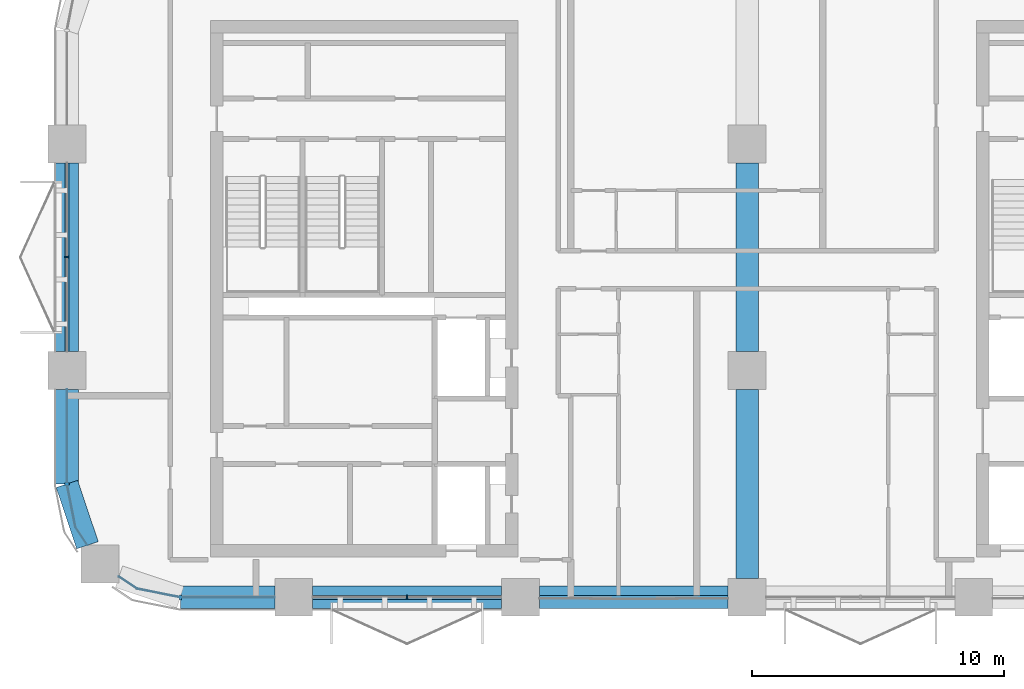
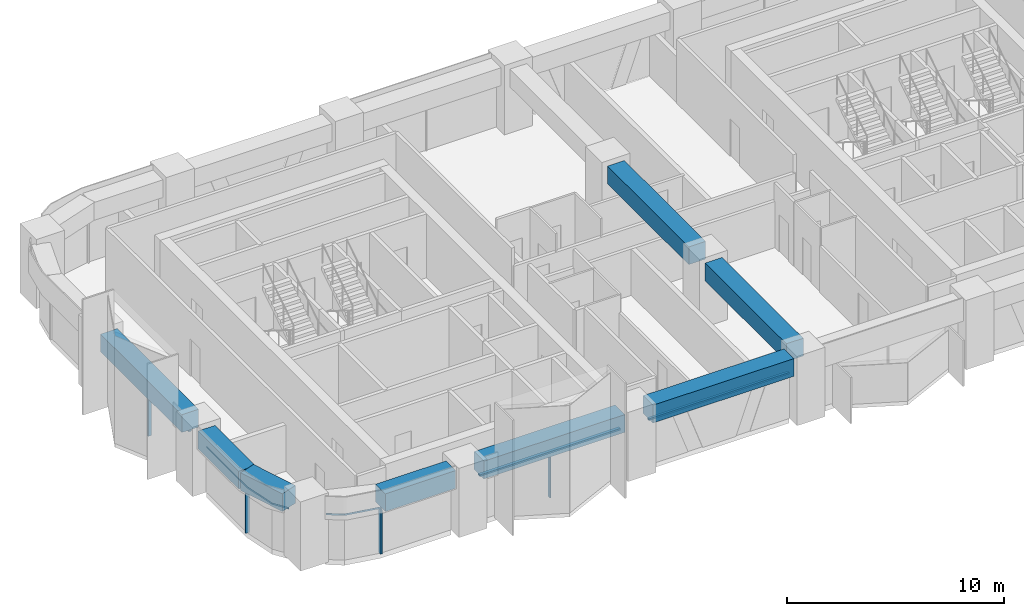
# One storey, part 2 of 14: 9 members, 8 beams, 5 elements without a shape of their own.
"""IFC4 building model written with IfcOpenShell, lengths in metres."""

from ifc_helpers import new_model, si_unit, direction, frame, origin, origin_2d, place, context, subcontext, project, spatial, polyline, rectangle, outline, extrude, material, material_profile, profile_set, type_object, element, aggregate, save


model = new_model("IFC4")

# Units and contexts
model_context = context("Model", 3, precision=1e-05, world=origin(), true_north=direction((0.0, 1.0)))
body_context = subcontext(model_context, "Body", "Model", "MODEL_VIEW")
ifc_project = project(units=[si_unit("LENGTHUNIT", "METRE"), si_unit("AREAUNIT", "SQUARE_METRE"), si_unit("VOLUMEUNIT", "CUBIC_METRE"), si_unit("PLANEANGLEUNIT", "RADIAN"), si_unit("MASSUNIT", "GRAM", prefix="KILO")], contexts=[model_context])

# Site, building, storey
site_placement = place(None, origin())
site = spatial("IfcSite", under=ifc_project, at=site_placement, CompositionType="ELEMENT")
building_placement = place(site_placement, origin())
building = spatial("IfcBuilding", under=site, at=building_placement, Name="Tessera Arch", CompositionType="ELEMENT")
storey_placement = place(building_placement, frame((0.0, 0.0, 142.699951171875)))
storey = spatial("IfcBuildingStorey", under=building, at=storey_placement, Name="L33", CompositionType="ELEMENT", Elevation=142.699951171875)

# Curtain wall, member
ifc_material_1 = material(Name="CW1 curtain wall")
curtain_wall_type_1 = type_object("IfcCurtainWallType", Name="CW1 curtain wall", PredefinedType="NOTDEFINED", material=ifc_material_1)
curtain_wall_1_placement = place(storey_placement, origin())
curtain_wall_1 = element("IfcCurtainWall", 1, at=curtain_wall_1_placement, inside=storey, type_object=curtain_wall_type_1, Name="CW1 curtain wall W0.27/1 L33", PredefinedType="NOTDEFINED")
ifc_material_2 = material(Name="Anodised aluminium pale metal", Category="aluminium")
ifc_material_profile_1 = material_profile(ifc_material_2, rectangle(XDim=0.159912109375, YDim=0.06005859375, at=origin_2d()), Name="AL 60x160")
ifc_profile_set_1 = profile_set([ifc_material_profile_1], Name="Anodised aluminium pale metal")
member_type_1 = type_object("IfcMemberType", Name="CW1 mullion", PredefinedType="MULLION", material=ifc_profile_set_1)
member_1_placement = place(storey_placement, frame((0.0, 40.5, 0.0), z_axis=(0.0, 0.0, 1.0), x_axis=(1.0, 0.0, 0.0)))
member_1 = element("IfcMember", 2, at=member_1_placement, type_object=member_type_1, Name="CW1 mullion W0.27/1 1", PredefinedType="MULLION", context=body_context, shape_type="SweptSolid", body=[
    extrude(rectangle(XDim=0.159912109375, YDim=0.06005859375, at=origin_2d()), origin(), (0.0, 0.0, 1.0), 2.5),
])

curtain_wall_2_placement = place(storey_placement, origin())
curtain_wall_2 = element("IfcCurtainWall", 3, at=curtain_wall_2_placement, inside=storey, type_object=curtain_wall_type_1, Name="CW1 curtain wall S27.0/1 L33", PredefinedType="NOTDEFINED")
member_2_placement = place(storey_placement, frame((13.5, 27.0, 0.0), z_axis=(0.0, 0.0, 1.0), x_axis=(0.0, 1.0, 0.0)))
member_2 = element("IfcMember", 4, at=member_2_placement, type_object=member_type_1, Name="CW1 mullion S27.0/1 1", PredefinedType="MULLION", context=body_context, shape_type="SweptSolid", body=[
    extrude(rectangle(XDim=0.159912109375, YDim=0.06005859375, at=origin_2d()), origin(), (0.0, 0.0, 1.0), 2.5),
])

# Member
ifc_material_3 = material(Name="Anodised aluminium pale metal", Category="aluminium")
ifc_material_profile_2 = material_profile(ifc_material_3, rectangle(XDim=0.159912109375, YDim=0.10009765625, at=origin_2d()), Name="AL 160x100")
ifc_profile_set_2 = profile_set([ifc_material_profile_2], Name="Anodised aluminium pale metal")
member_type_2 = type_object("IfcMemberType", Name="CW1 transom", PredefinedType="USERDEFINED", material=ifc_profile_set_2)
member_3_placement = place(storey_placement, frame((0.0, 44.25, 2.550048828125), z_axis=(0.0, -1.0, 0.0), x_axis=(1.0, 0.0, 0.0)))
member_3 = element("IfcMember", 5, at=member_3_placement, type_object=member_type_2, Name="CW1 transom W0.27/1 1.1", ObjectType="TRANSOM", PredefinedType="USERDEFINED", context=body_context, shape_type="SweptSolid", body=[
    extrude(rectangle(XDim=0.159912109375, YDim=0.10009765625, at=origin_2d()), origin(), (0.0, 0.0, 1.0), 7.5),
])

aggregate(curtain_wall_1, [member_1, member_3])

member_4_placement = place(storey_placement, frame((9.75, 27.0, 2.550048828125), z_axis=(1.0, 0.0, 0.0), x_axis=(0.0, 1.0, 0.0)))
member_4 = element("IfcMember", 6, at=member_4_placement, type_object=member_type_2, Name="CW1 transom S27.0/1 1.1", ObjectType="TRANSOM", PredefinedType="USERDEFINED", context=body_context, shape_type="SweptSolid", body=[
    extrude(rectangle(XDim=0.159912109375, YDim=0.10009765625, at=origin_2d()), origin(), (0.0, 0.0, 1.0), 7.5),
])

aggregate(curtain_wall_2, [member_2, member_4])

# Curtain wall, member
ifc_material_4 = material(Name="CW2 curtain wall")
curtain_wall_type_2 = type_object("IfcCurtainWallType", Name="CW2 curtain wall", PredefinedType="NOTDEFINED", material=ifc_material_4)
curtain_wall_3_placement = place(storey_placement, origin())
curtain_wall_3 = element("IfcCurtainWall", 7, at=curtain_wall_3_placement, inside=storey, type_object=curtain_wall_type_2, Name="CW2 curtain wall W0.27/2 L33", PredefinedType="NOTDEFINED")
ifc_material_5 = material(Name="Anodised aluminium pale metal", Category="aluminium")
ifc_material_profile_3 = material_profile(ifc_material_5, rectangle(XDim=0.199951171875, YDim=0.080078125, at=origin_2d()), Name="AL 80x200")
ifc_profile_set_3 = profile_set([ifc_material_profile_3], Name="Anodised aluminium pale metal")
member_type_3 = type_object("IfcMemberType", Name="CW2 mullion", PredefinedType="MULLION", material=ifc_profile_set_3)
member_5_placement = place(storey_placement, frame((0.0, 31.5, 0.0), z_axis=(0.0, 0.0, 1.0), x_axis=(1.0, 0.0, 0.0)))
member_5 = element("IfcMember", 8, at=member_5_placement, type_object=member_type_3, Name="CW2 mullion W0.27/2 1", PredefinedType="MULLION", context=body_context, shape_type="SweptSolid", body=[
    extrude(rectangle(XDim=0.199951171875, YDim=0.080078125, at=origin_2d()), origin(), (0.0, 0.0, 1.0), 2.5),
])

curtain_wall_4_placement = place(storey_placement, origin())
curtain_wall_4 = element("IfcCurtainWall", 9, at=curtain_wall_4_placement, inside=storey, type_object=curtain_wall_type_2, Name="CW2 curtain wall S27.0/0 L33", PredefinedType="NOTDEFINED")
member_6_placement = place(storey_placement, frame((4.5, 27.0, 0.0), z_axis=(0.0, 0.0, 1.0), x_axis=(0.0, 1.0, 0.0)))
member_6 = element("IfcMember", 10, at=member_6_placement, type_object=member_type_3, Name="CW2 mullion S27.0/0 1", PredefinedType="MULLION", context=body_context, shape_type="SweptSolid", body=[
    extrude(rectangle(XDim=0.199951171875, YDim=0.080078125, at=origin_2d()), origin(), (0.0, 0.0, 1.0), 2.5),
])

# Member
ifc_material_6 = material(Name="Anodised aluminium pale metal", Category="aluminium")
ifc_material_profile_4 = material_profile(ifc_material_6, rectangle(XDim=0.199951171875, YDim=0.10009765625, at=origin_2d()), Name="AL 200x100")
ifc_profile_set_4 = profile_set([ifc_material_profile_4], Name="Anodised aluminium pale metal")
member_type_4 = type_object("IfcMemberType", Name="CW2 transom", PredefinedType="USERDEFINED", material=ifc_profile_set_4)
member_7_placement = place(storey_placement, frame((0.0, 0.0, 2.5)))
member_7 = element("IfcMember", 11, at=member_7_placement, type_object=member_type_4, Name="CW2 transom W0.27/2 1", ObjectType="TRANSOM", PredefinedType="USERDEFINED", context=body_context, shape_type="SweptSolid", body=[
    extrude(outline(polyline([(0.010009765625, 31.5009765625), (0.010009765625, 35.25), (-0.010009765625, 35.25), (-0.010009765625, 31.4990234375), (0.3330078125, 29.77392578125), (0.80859375, 29.0625), (0.8251953125, 29.073486328125), (0.351806640625, 29.78173828125), (0.010009765625, 31.5009765625)])), origin(), (0.0, 0.0, 1.0), 0.10009765625),
])

aggregate(curtain_wall_3, [member_5, member_7])

member_8_placement = place(storey_placement, frame((0.0, 0.0, 2.5)))
member_8 = element("IfcMember", 12, at=member_8_placement, type_object=member_type_4, Name="CW2 transom S27.0/0 1", ObjectType="TRANSOM", PredefinedType="USERDEFINED", context=body_context, shape_type="SweptSolid", body=[
    extrude(outline(polyline([(2.78173828125, 27.351806640625), (2.073486328125, 27.8251953125), (2.0625, 27.80859375), (2.77392578125, 27.3330078125), (4.4990234375, 26.989990234375), (8.25, 26.989990234375), (8.25, 27.010009765625), (4.5009765625, 27.010009765625), (2.78173828125, 27.351806640625)])), origin(), (0.0, 0.0, 1.0), 0.10009765625),
])

aggregate(curtain_wall_4, [member_6, member_8])

# Curtain wall, member
ifc_material_7 = material(Name="CW3 curtain wall")
curtain_wall_type_3 = type_object("IfcCurtainWallType", Name="CW3 curtain wall", PredefinedType="NOTDEFINED", material=ifc_material_7)
curtain_wall_5_placement = place(storey_placement, origin())
curtain_wall_5 = element("IfcCurtainWall", 13, at=curtain_wall_5_placement, inside=storey, type_object=curtain_wall_type_3, Name="CW3 curtain wall S27.0/2 L33", PredefinedType="NOTDEFINED")
ifc_material_8 = material(Name="Anodised aluminium pale metal", Category="aluminium")
ifc_material_profile_5 = material_profile(ifc_material_8, rectangle(XDim=0.139892578125, YDim=0.10009765625, at=origin_2d()), Name="AL 140x100")
ifc_profile_set_5 = profile_set([ifc_material_profile_5], Name="Anodised aluminium pale metal")
member_type_5 = type_object("IfcMemberType", Name="CW3 transom", PredefinedType="USERDEFINED", material=ifc_profile_set_5)
member_9_placement = place(storey_placement, frame((18.75, 27.0, 2.550048828125), z_axis=(1.0, 0.0, 0.0), x_axis=(0.0, 1.0, 0.0)))
member_9 = element("IfcMember", 14, at=member_9_placement, type_object=member_type_5, Name="CW3 transom S27.0/2 1.1", ObjectType="TRANSOM", PredefinedType="USERDEFINED", context=body_context, shape_type="SweptSolid", body=[
    extrude(rectangle(XDim=0.139892578125, YDim=0.10009765625, at=origin_2d()), origin(), (0.0, 0.0, 1.0), 7.5),
])
aggregate(curtain_wall_5, [member_9])

# Beams
ifc_material_9 = material(Name="Concrete C70/85", Category="concrete")
ifc_material_profile_6 = material_profile(ifc_material_9, rectangle(XDim=0.89990234375, YDim=1.0, at=origin_2d()), Name="RC spandrel beam 900 x 1000 Concrete C70/85")
ifc_profile_set_6 = profile_set([ifc_material_profile_6], Name="Concrete C70/85")
beam_type = type_object("IfcBeamType", Name="RC spandrel beam 900 x 1000 Concrete C70/85", PredefinedType="BEAM", material=ifc_profile_set_6)
beam_1_placement = place(storey_placement, frame((0.0, 44.25, 3.10009765625), z_axis=(0.0, -1.0, 0.0), x_axis=(1.0, 0.0, 0.0)))
element("IfcBeam", 15, at=beam_1_placement, inside=storey, type_object=beam_type, Name="Spandrel beam L33 W0.27/1", PredefinedType="BEAM", context=body_context, shape_type="SweptSolid", body=[
    extrude(rectangle(XDim=0.89990234375, YDim=1.0, at=origin_2d()), origin(), (0.0, 0.0, 1.0), 7.5),
])
beam_2_placement = place(storey_placement, frame((0.0, 35.25, 3.10009765625), z_axis=(0.0, -1.0, 0.0), x_axis=(1.0, 0.0, 0.0)))
element("IfcBeam", 16, at=beam_2_placement, inside=storey, type_object=beam_type, Name="Spandrel beam L33 W0.27/2.1", PredefinedType="BEAM", context=body_context, shape_type="SweptSolid", body=[
    extrude(rectangle(XDim=0.89990234375, YDim=1.0, at=origin_2d()), origin(), (0.0, 0.0, 1.0), 3.75),
])
beam_3_placement = place(storey_placement, frame((0.0, 31.5, 3.10009765625), z_axis=(0.31842525032, -0.947947973234, 0.0), x_axis=(0.947947973234, 0.31842525032, 0.0)))
element("IfcBeam", 17, at=beam_3_placement, inside=storey, type_object=beam_type, Name="Spandrel beam L33 W0.27/2.2", PredefinedType="BEAM", context=body_context, shape_type="SweptSolid", body=[
    extrude(rectangle(XDim=0.89990234375, YDim=1.0, at=origin_2d()), origin(), (0.0, 0.0, 1.0), 2.5654296875),
])
beam_4_placement = place(storey_placement, frame((4.5, 27.0, 3.10009765625), z_axis=(1.0, 0.0, 0.0), x_axis=(0.0, 1.0, 0.0)))
element("IfcBeam", 18, at=beam_4_placement, inside=storey, type_object=beam_type, Name="Spandrel beam L33 S27.0/0.2", PredefinedType="BEAM", context=body_context, shape_type="SweptSolid", body=[
    extrude(rectangle(XDim=0.89990234375, YDim=1.0, at=origin_2d()), origin(), (0.0, 0.0, 1.0), 3.75),
])
for number, where, z_axis, x_axis, name in (
    (19, (9.75, 27.0, 3.10009765625), (1.0, 0.0, 0.0), (0.0, 1.0, 0.0), "Spandrel beam L33 S27.0/1"),
    (20, (18.75, 27.0, 3.10009765625), (1.0, 0.0, 0.0), (0.0, 1.0, 0.0), "Spandrel beam L33 S27.0/2"),
    (21, (27.0, 27.75, 3.10009765625), (0.0, 1.0, 0.0), (-1.0, 0.0, 0.0), "Interface beam L33 I0C4D-C4E"),
    (22, (27.0, 36.75, 3.10009765625), (0.0, 1.0, 0.0), (-1.0, 0.0, 0.0), "Interface beam L33 I0C4E-C4F"),
):
    element("IfcBeam", number, at=place(storey_placement, frame(where, z_axis=z_axis, x_axis=x_axis)), inside=storey, type_object=beam_type, Name=name, PredefinedType="BEAM", context=body_context, shape_type="SweptSolid", body=[
        extrude(rectangle(XDim=0.89990234375, YDim=1.0, at=origin_2d()), origin(), (0.0, 0.0, 1.0), 7.5),
    ])

save(model, "model.ifc")
